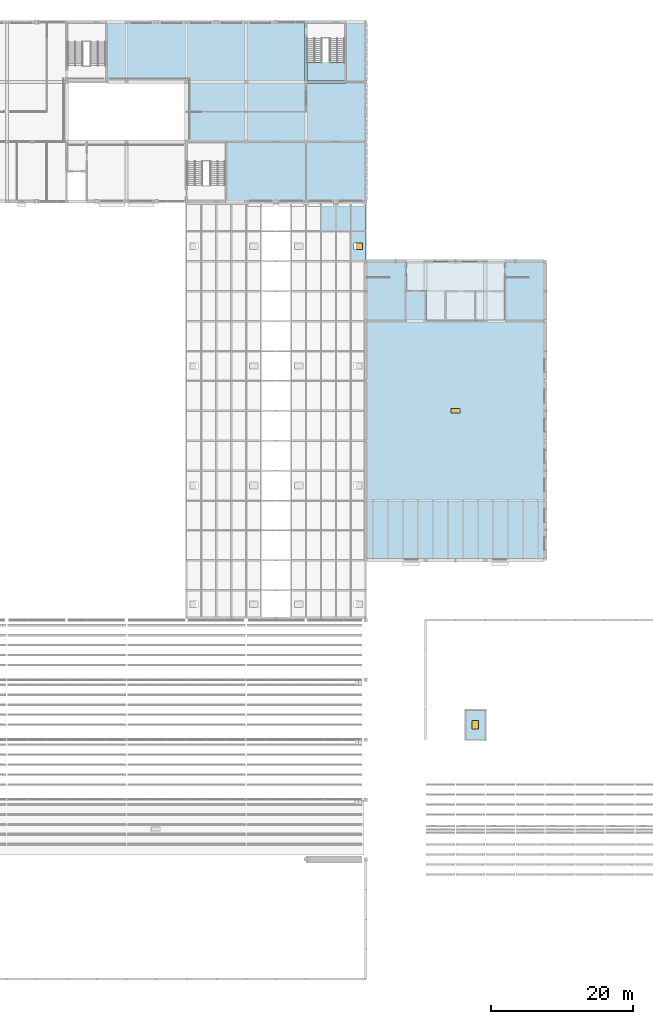
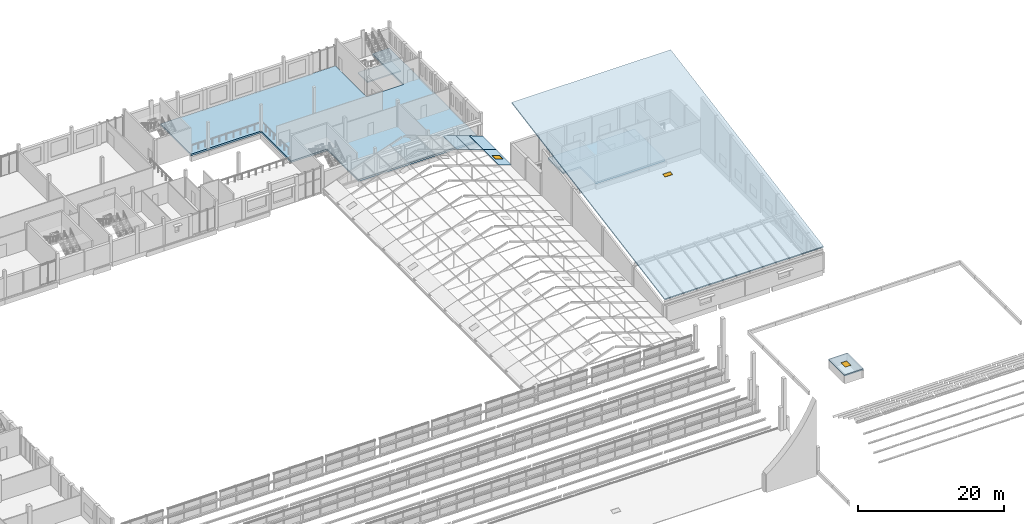
# One storey, part 89 of 116: 9 slabs, 3 windows, 3 openings, 1 element without a shape of its own.
"""IFC4 building model written with IfcOpenShell, lengths in metres."""

from ifc_helpers import new_model, si_unit, direction, frame, origin, origin_2d, place, context, subcontext, project, spatial, polyline, rectangle, outline, extrude, material, layer, layer_set, type_object, element, fill, aggregate, save


model = new_model("IFC4")

# Units and contexts
model_context = context("Model", 3, precision=1e-05, world=origin(), true_north=direction((0.0, 1.0)))
body_context = subcontext(model_context, "Body", "Model", "MODEL_VIEW")
ifc_project = project(units=[si_unit("LENGTHUNIT", "METRE"), si_unit("AREAUNIT", "SQUARE_METRE"), si_unit("VOLUMEUNIT", "CUBIC_METRE"), si_unit("PLANEANGLEUNIT", "RADIAN"), si_unit("MASSUNIT", "GRAM", prefix="KILO")], contexts=[model_context])

# Site, building, storey
site_placement = place(None, origin())
site = spatial("IfcSite", under=ifc_project, at=site_placement, CompositionType="ELEMENT")
building_placement = place(site_placement, origin())
building = spatial("IfcBuilding", under=site, at=building_placement, Name="Fescue Hill Polytechnic", CompositionType="ELEMENT")
storey_placement = place(building_placement, frame((0.0, 0.0, 13.5)))
storey = spatial("IfcBuildingStorey", under=building, at=storey_placement, Name="L03", CompositionType="ELEMENT", Elevation=13.5)

# Slabs
ifc_material_1 = material(Name="Concrete 35 MPa", Category="concrete")
ifc_layer_1 = layer(ifc_material_1, 0.300048828125)
ifc_layer_set_1 = layer_set([ifc_layer_1], Name="Concrete 35 MPa")
slab_type_1 = type_object("IfcSlabType", Name="Floor slab 300", PredefinedType="FLOOR", material=ifc_layer_set_1)
slab_1_placement = place(storey_placement, frame((0.0, 0.0, -0.300048828125)))
element("IfcSlab", 1, at=slab_1_placement, inside=storey, type_object=slab_type_1, Name="SL-L03-V2-1", PredefinedType="FLOOR", context=body_context, shape_type="SweptSolid", body=[
    extrude(outline(polyline([(137.074951171875, 100.800048828125), (137.074951171875, 92.39990234375), (126.10009765625, 92.39990234375), (126.10009765625, 96.699951171875), (123.324951171875, 96.699951171875), (123.324951171875, 100.800048828125), (137.074951171875, 100.800048828125)])), origin(), (0.0, 0.0, 1.0), 0.300048828125),
])
slab_2_placement = place(storey_placement, frame((0.0, 0.0, -0.300048828125)))
element("IfcSlab", 2, at=slab_2_placement, inside=storey, type_object=slab_type_1, Name="SL-L03-V4b-1", PredefinedType="FLOOR", context=body_context, shape_type="SweptSolid", body=[
    extrude(outline(polyline([(109.074951171875, 134.39990234375), (109.074951171875, 125.875), (114.925048828125, 125.875), (114.925048828125, 134.39990234375), (117.60009765625, 134.39990234375), (117.60009765625, 109.199951171875), (98.125, 109.199951171875), (98.125, 117.72509765625), (92.39990234375, 117.72509765625), (92.39990234375, 126.0), (81.324951171875, 126.0), (81.324951171875, 134.39990234375), (109.074951171875, 134.39990234375)])), origin(), (0.0, 0.0, 1.0), 0.300048828125),
])

# Slab, opening, window
ifc_material_2 = material(Name="Insulated steel deck on Steel 350W (350 MPa)", Category="steel")
ifc_layer_2 = layer(ifc_material_2, 0.199951171875)
ifc_layer_set_2 = layer_set([ifc_layer_2], Name="Insulated steel deck on Steel 350W (350 MPa)")
slab_type_2 = type_object("IfcSlabType", Name="Lecture roof deck 200", PredefinedType="ROOF", material=ifc_layer_set_2)
slab_3_placement = place(storey_placement, frame((117.60009765625, 58.800048828125, 3.77197265625), z_axis=(0.0, -0.175790638484, 0.984427575508), x_axis=(1.0, 0.0, 0.0)))
slab_3 = element("IfcSlab", 3, at=slab_3_placement, inside=storey, type_object=slab_type_2, Name="Lecture theatre roof", PredefinedType="ROOF", context=body_context, shape_type="SweptSolid", body=[
    extrude(outline(polyline([(0.0, 0.0), (25.199951171875, 0.0), (25.199951171875, 42.66438795998368), (0.0, 42.66438795998368), (0.0, 0.0)])), origin(), (0.0, 0.0, -1.0), 0.199951171875),
])
opening_1_placement = place(storey_placement, frame((130.199951171875, 79.800048828125, 7.111572265625)))
opening_1 = element("IfcOpeningElement", 4, at=opening_1_placement, cuts=slab_3, Name="Opening WH3", PredefinedType="OPENING", context=body_context, shape_type="SweptSolid", body=[
    extrude(rectangle(XDim=1.239990234375, YDim=0.659423828125, at=origin_2d()), origin(), (0.0, 0.0, 1.0), 0.617431640625),
])
ifc_material_3 = material(Name="Powder-coated aluminium and glass", Category="aluminium")
window_type_1 = type_object("IfcWindowType", Name="Roof ventilator 1200x600", PartitioningType="SINGLE_PANEL", PredefinedType="SKYLIGHT", material=ifc_material_3)
window_1_placement = place(storey_placement, frame((130.199951171875, 79.800048828125, 7.52197265625), z_axis=(0.0, -0.175790638484, 0.984427575508), x_axis=(1.0, 0.0, 0.0)))
window_1 = element("IfcWindow", 5, at=window_1_placement, inside=storey, type_object=window_type_1, Name="RLT-L03-RM-DECK", OverallHeight=0.60009765625, OverallWidth=1.199951171875, PartitioningType="SINGLE_PANEL", PredefinedType="SKYLIGHT", context=body_context, shape_type="SweptSolid", body=[
    extrude(rectangle(XDim=1.199951171875, YDim=0.60009765625, at=origin_2d()), origin(), (0.0, 0.0, -1.0), 0.050048828125),
])
fill(opening_1, window_1)

ifc_layer_3 = layer(ifc_material_1, 0.199951171875)
ifc_layer_set_3 = layer_set([ifc_layer_3], Name="Concrete 35 MPa")
slab_type_3 = type_object("IfcSlabType", Name="Roof slab 200", PredefinedType="ROOF", material=ifc_layer_set_3)
slab_4_placement = place(storey_placement, frame((0.0, 0.0, 1.300048828125)))
slab_4 = element("IfcSlab", 6, at=slab_4_placement, inside=storey, type_object=slab_type_3, Name="LD-LF-V3-1", PredefinedType="ROOF", context=body_context, shape_type="SweptSolid", body=[
    extrude(outline(polyline([(134.5, 33.5), (131.5, 33.5), (131.5, 37.89990234375), (134.5, 37.89990234375), (134.5, 33.5)])), origin(), (0.0, 0.0, 1.0), 0.199951171875),
])
opening_2_placement = place(slab_4_placement, frame((133.0, 35.699951171875, 0.0)))
opening_2 = element("IfcOpeningElement", 7, at=opening_2_placement, cuts=slab_4, Name="Opening WH4", PredefinedType="OPENING", context=body_context, shape_type="SweptSolid", body=[
    extrude(rectangle(XDim=0.89990234375, YDim=1.199951171875, at=origin_2d()), frame((0.0, 0.0, -0.010009765625)), (0.0, 0.0, 1.0), 0.219970703125),
])
window_type_2 = type_object("IfcWindowType", Name="Hoistway vent hatch 900x1200", PartitioningType="SINGLE_PANEL", PredefinedType="SKYLIGHT", material=ifc_material_3)
window_2_placement = place(opening_2_placement, frame((0.0, 0.0, 0.14990234375)))
window_2 = element("IfcWindow", 8, at=window_2_placement, inside=storey, type_object=window_type_2, Name="RLT-L03-LD-LF-V3-1", OverallHeight=1.199951171875, OverallWidth=0.89990234375, PartitioningType="SINGLE_PANEL", PredefinedType="SKYLIGHT", context=body_context, shape_type="SweptSolid", body=[
    extrude(rectangle(XDim=0.89990234375, YDim=1.199951171875, at=origin_2d()), origin(), (0.0, 0.0, 1.0), 0.050048828125),
])
fill(opening_2, window_2)

# Stair, slab
stair_type = type_object("IfcStairType", Name="Half-turn stair 2150 flights", PredefinedType="HALF_TURN_STAIR", material=ifc_material_1)
stair_placement = place(storey_placement, origin())
stair = element("IfcStair", 9, at=stair_placement, inside=storey, type_object=stair_type, Name="L03 ST-V4b-2 stair", PredefinedType="HALF_TURN_STAIR")
ifc_layer_4 = layer(ifc_material_1, 0.199951171875)
ifc_layer_set_4 = layer_set([ifc_layer_4], Name="Concrete 35 MPa")
slab_type_4 = type_object("IfcSlabType", Name="Stair landing slab 200", PredefinedType="LANDING", material=ifc_layer_set_4)
slab_5_placement = place(storey_placement, frame((0.0, 0.0, 2.050048828125)))
slab_5 = element("IfcSlab", 10, at=slab_5_placement, type_object=slab_type_4, Name="S23 landing 1", PredefinedType="LANDING", context=body_context, shape_type="SweptSolid", body=[
    extrude(outline(polyline([(109.324951171875, 126.125), (114.675048828125, 126.125), (114.675048828125, 128.739990234375), (109.324951171875, 128.739990234375), (109.324951171875, 126.125)])), origin(), (0.0, 0.0, 1.0), 0.199951171875),
])
aggregate(stair, [slab_5])

# Slab, opening, window
ifc_material_4 = material(Name="Glass", Category="glass")
ifc_layer_5 = layer(ifc_material_4, 0.030029296875)
ifc_layer_set_5 = layer_set([ifc_layer_5], Name="Glass")
slab_type_5 = type_object("IfcSlabType", Name="Winter garden roof glazing 30", PredefinedType="ROOF", material=ifc_layer_set_5)
slab_6_placement = place(storey_placement, frame((117.60009765625, 100.800048828125, 0.7724609375), z_axis=(0.336294501436, 0.0, 0.941756873245), x_axis=(0.0, 1.0, 0.0)))
slab_6 = element("IfcSlab", 11, at=slab_6_placement, inside=storey, type_object=slab_type_5, Name="Winter garden roof glazing", PredefinedType="ROOF", context=body_context, shape_type="SweptSolid", body=[
    extrude(outline(polyline([(0.0, 0.0), (4.199951171875, 0.0), (4.199951171875, 2.214942687716117), (0.0, 2.214942687716117), (0.0, 0.0)])), origin(), (0.0, 0.0, -1.0), 0.030029296875),
])
opening_3_placement = place(storey_placement, frame((116.56396484375, 102.89990234375, 0.79638671875)))
opening_3 = element("IfcOpeningElement", 12, at=opening_3_placement, cuts=slab_6, Name="Opening WH5", PredefinedType="OPENING", context=body_context, shape_type="SweptSolid", body=[
    extrude(rectangle(XDim=1.206787109375, YDim=0.93994140625, at=origin_2d()), origin(), (0.0, 0.0, 1.0), 0.660400390625),
])
window_type_3 = type_object("IfcWindowType", Name="Opening vent 900x1200", PartitioningType="SINGLE_PANEL", PredefinedType="SKYLIGHT", material=ifc_material_3)
window_3_placement = place(storey_placement, frame((116.56396484375, 102.89990234375, 1.142578125), z_axis=(0.336294501436, 0.0, 0.941756873245), x_axis=(0.0, 1.0, 0.0)))
window_3 = element("IfcWindow", 13, at=window_3_placement, inside=storey, type_object=window_type_3, Name="RLT-L03-WG-GLE-13-1", OverallHeight=1.199951171875, OverallWidth=0.89990234375, PartitioningType="SINGLE_PANEL", PredefinedType="SKYLIGHT", context=body_context, shape_type="SweptSolid", body=[
    extrude(rectangle(XDim=0.89990234375, YDim=1.199951171875, at=origin_2d()), origin(), (0.0, 0.0, -1.0), 0.030029296875),
])
fill(opening_3, window_3)

# Slabs
slab_7_placement = place(storey_placement, frame((117.60009765625, 105.0, 0.7724609375), z_axis=(0.336294501436, 0.0, 0.941756873245), x_axis=(0.0, 1.0, 0.0)))
element("IfcSlab", 14, at=slab_7_placement, inside=storey, type_object=slab_type_5, Name="Winter garden roof glazing", PredefinedType="ROOF", context=body_context, shape_type="SweptSolid", body=[
    extrude(outline(polyline([(0.0, 0.0), (3.85009765625, 0.0), (3.85009765625, 2.214942687716117), (0.0, 2.214942687716117), (0.0, 0.0)])), origin(), (0.0, 0.0, -1.0), 0.030029296875),
])
for number, where, z_axis, x_axis, name in (
    (15, (115.5, 105.0, 1.5224609375), (0.336329413726, 0.0, 0.941744405591), (0.0, 1.0, 0.0), "Winter garden roof glazing"),
    (16, (113.400146484375, 105.0, 2.2724609375), (0.336329413726, 0.0, 0.941744405591), (0.0, 1.0, 0.0), "Winter garden roof glazing"),
):
    element("IfcSlab", number, at=place(storey_placement, frame(where, z_axis=z_axis, x_axis=x_axis)), inside=storey, type_object=slab_type_5, Name=name, PredefinedType="ROOF", context=body_context, shape_type="SweptSolid", body=[
        extrude(outline(polyline([(0.0, 0.0), (3.85009765625, 0.0), (3.85009765625, 2.2147127681263363), (0.0, 2.2147127681263363), (0.0, 0.0)])), origin(), (0.0, 0.0, -1.0), 0.030029296875),
    ])

save(model, "model.ifc")
